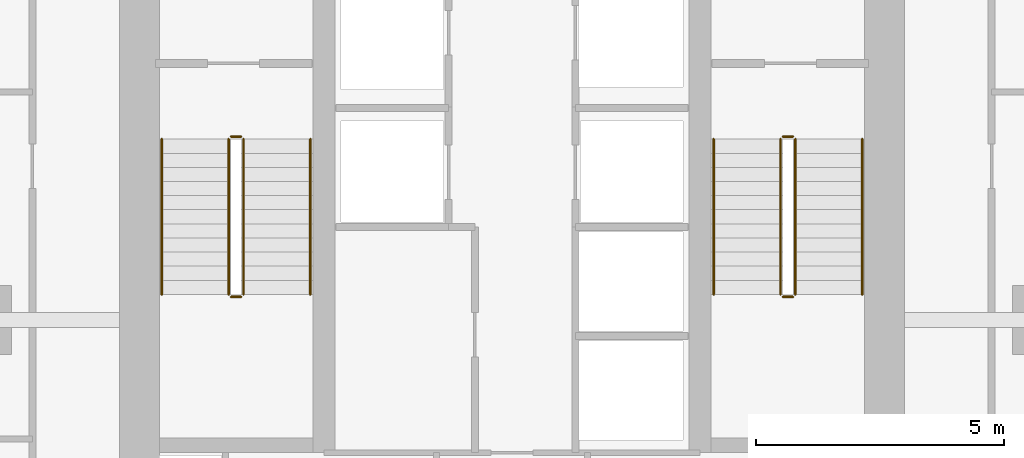
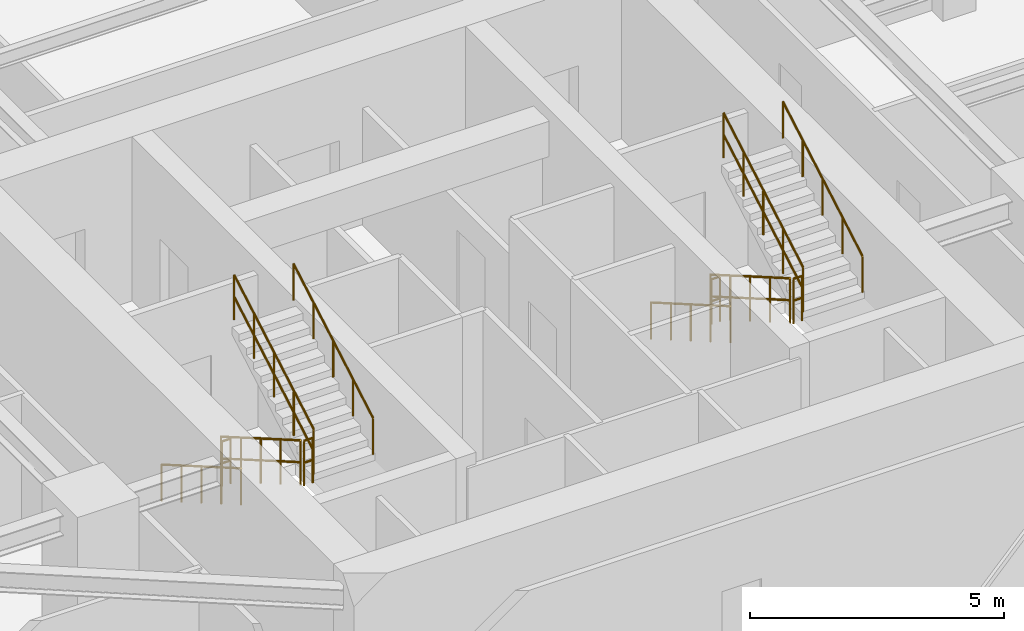
# One storey, part 20 of 21: 12 railings.
"""IFC4 building model written with IfcOpenShell, lengths in metres."""

from ifc_helpers import new_model, si_unit, direction, frame, origin, origin_2d, place, context, subcontext, project, spatial, circle, extrude, material, layer, layer_set, type_object, element, save


model = new_model("IFC4")

# Units and contexts
model_context = context("Model", 3, precision=1e-05, world=origin(), true_north=direction((0.0, 1.0)))
body_context = subcontext(model_context, "Body", "Model", "MODEL_VIEW")
ifc_project = project(units=[si_unit("LENGTHUNIT", "METRE"), si_unit("AREAUNIT", "SQUARE_METRE"), si_unit("VOLUMEUNIT", "CUBIC_METRE"), si_unit("PLANEANGLEUNIT", "RADIAN"), si_unit("MASSUNIT", "GRAM", prefix="KILO")], contexts=[model_context])

# Site, building, storey
site_placement = place(None, origin())
site = spatial("IfcSite", under=ifc_project, at=site_placement, CompositionType="ELEMENT")
building_placement = place(site_placement, origin())
building = spatial("IfcBuilding", under=site, at=building_placement, Name="Krantzveldt Concourse Tower", CompositionType="ELEMENT")
storey_placement = place(building_placement, frame((0.0, 0.0, 267.39990234375)))
storey = spatial("IfcBuildingStorey", under=building, at=storey_placement, Name="L65", CompositionType="ELEMENT", Elevation=267.39990234375)

# Railings
ifc_material = material(Name="Stainless steel 316L", Category="steel")
ifc_layer_1 = layer(ifc_material, 0.06005859375, Name="Stainless steel 316L", Category="steel")
ifc_layer_set_1 = layer_set([ifc_layer_1], Name="Stainless steel 316L (RL-GUARD-1120)")
railing_type_1 = type_object("IfcRailingType", Name="RL-GUARD-1120", PredefinedType="GUARDRAIL", material=ifc_layer_set_1)
railing_1_placement = place(storey_placement, frame((30.280029296875, 19.550048828125, 0.164794921875)))
element("IfcRailing", 1, at=railing_1_placement, inside=storey, type_object=railing_type_1, Name="L65 ST-1 stair guard 1", PredefinedType="GUARDRAIL", context=body_context, shape_type="SweptSolid", body=[
    extrude(circle(Radius=0.02392578125, at=origin_2d()), frame((0.0, 0.0, 1.076171875), z_axis=(0.0, -0.865989039225, 0.500062979975), x_axis=(1.0, 0.0, 0.0)), (0.0, 0.0, 1.0), 3.6201171875),
    extrude(circle(Radius=0.02392578125, at=origin_2d()), frame((0.0, 0.0, 0.550048828125), z_axis=(0.0, -0.865989039225, 0.500062979975), x_axis=(1.0, 0.0, 0.0)), (0.0, 0.0, 1.0), 3.6201171875),
    extrude(circle(Radius=0.02099609375, at=origin_2d()), origin(), (0.0, 0.0, 1.0), 1.052001953125),
    extrude(circle(Radius=0.02099609375, at=origin_2d()), frame((0.0, -0.78369140625, 0.45263671875)), (0.0, 0.0, 1.0), 1.052001953125),
    extrude(circle(Radius=0.02099609375, at=origin_2d()), frame((0.0, -1.5673828125, 0.9052734375)), (0.0, 0.0, 1.0), 1.052001953125),
    extrude(circle(Radius=0.02099609375, at=origin_2d()), frame((0.0, -2.351318359375, 1.357666015625)), (0.0, 0.0, 1.0), 1.052001953125),
    extrude(circle(Radius=0.02099609375, at=origin_2d()), frame((0.0, -3.135009765625, 1.810302734375)), (0.0, 0.0, 1.0), 1.052001953125),
])
railing_2_placement = place(storey_placement, frame((30.330078125, 16.364990234375, 1.97509765625)))
element("IfcRailing", 2, at=railing_2_placement, inside=storey, type_object=railing_type_1, Name="L65 ST-1 stair guard 2", PredefinedType="GUARDRAIL", context=body_context, shape_type="SweptSolid", body=[
    extrude(circle(Radius=0.02392578125, at=origin_2d()), frame((0.0, 0.0, 1.076171875), z_axis=(1.0, 0.0, 0.0), x_axis=(0.0, 1.0, 0.0)), (0.0, 0.0, 1.0), 0.199951171875),
    extrude(circle(Radius=0.02392578125, at=origin_2d()), frame((0.0, 0.0, 0.550048828125), z_axis=(1.0, 0.0, 0.0), x_axis=(0.0, 1.0, 0.0)), (0.0, 0.0, 1.0), 0.199951171875),
    extrude(circle(Radius=0.02099609375, at=origin_2d()), origin(), (0.0, 0.0, 1.0), 1.052001953125),
    extrude(circle(Radius=0.02099609375, at=origin_2d()), frame((0.199951171875, 0.0, 0.0)), (0.0, 0.0, 1.0), 1.052001953125),
])
railing_3_placement = place(storey_placement, frame((30.580078125, 16.4150390625, 2.1396484375)))
element("IfcRailing", 3, at=railing_3_placement, inside=storey, type_object=railing_type_1, Name="L65 ST-1 stair guard 3", PredefinedType="GUARDRAIL", context=body_context, shape_type="SweptSolid", body=[
    extrude(circle(Radius=0.02392578125, at=origin_2d()), frame((0.0, 0.0, 1.076171875), z_axis=(0.0, 0.865959834175, 0.500113552702), x_axis=(-1.0, 0.0, 0.0)), (0.0, 0.0, 1.0), 3.620361328125),
    extrude(circle(Radius=0.02392578125, at=origin_2d()), frame((0.0, 0.0, 0.550048828125), z_axis=(0.0, 0.865959834175, 0.500113552702), x_axis=(-1.0, 0.0, 0.0)), (0.0, 0.0, 1.0), 3.620361328125),
    extrude(circle(Radius=0.02099609375, at=origin_2d()), origin(), (0.0, 0.0, 1.0), 1.052001953125),
    extrude(circle(Radius=0.02099609375, at=origin_2d()), frame((0.0, 0.78369140625, 0.45263671875)), (0.0, 0.0, 1.0), 1.052001953125),
    extrude(circle(Radius=0.02099609375, at=origin_2d()), frame((0.0, 1.5673828125, 0.9052734375)), (0.0, 0.0, 1.0), 1.052001953125),
    extrude(circle(Radius=0.02099609375, at=origin_2d()), frame((0.0, 2.351318359375, 1.35791015625)), (0.0, 0.0, 1.0), 1.052001953125),
    extrude(circle(Radius=0.02099609375, at=origin_2d()), frame((0.0, 3.135009765625, 1.810546875)), (0.0, 0.0, 1.0), 1.052001953125),
])
railing_4_placement = place(storey_placement, frame((30.330078125, 19.60009765625, 0.0)))
element("IfcRailing", 4, at=railing_4_placement, inside=storey, type_object=railing_type_1, Name="L65 ST-1 stair guard 4", PredefinedType="GUARDRAIL", context=body_context, shape_type="SweptSolid", body=[
    extrude(circle(Radius=0.02392578125, at=origin_2d()), frame((0.0, 0.0, 1.076171875), z_axis=(1.0, 0.0, 0.0), x_axis=(0.0, 1.0, 0.0)), (0.0, 0.0, 1.0), 0.199951171875),
    extrude(circle(Radius=0.02392578125, at=origin_2d()), frame((0.0, 0.0, 0.550048828125), z_axis=(1.0, 0.0, 0.0), x_axis=(0.0, 1.0, 0.0)), (0.0, 0.0, 1.0), 0.199951171875),
    extrude(circle(Radius=0.02099609375, at=origin_2d()), origin(), (0.0, 0.0, 1.0), 1.052001953125),
    extrude(circle(Radius=0.02099609375, at=origin_2d()), frame((0.199951171875, 0.0, 0.0)), (0.0, 0.0, 1.0), 1.052001953125),
])
railing_5_placement = place(storey_placement, frame((41.419921875, 19.550048828125, 0.164794921875)))
element("IfcRailing", 5, at=railing_5_placement, inside=storey, type_object=railing_type_1, Name="L65 ST-2 stair guard 1", PredefinedType="GUARDRAIL", context=body_context, shape_type="SweptSolid", body=[
    extrude(circle(Radius=0.02392578125, at=origin_2d()), frame((0.0, 0.0, 1.076171875), z_axis=(0.0, -0.865989039225, 0.500062979975), x_axis=(1.0, 0.0, 0.0)), (0.0, 0.0, 1.0), 3.6201171875),
    extrude(circle(Radius=0.02392578125, at=origin_2d()), frame((0.0, 0.0, 0.550048828125), z_axis=(0.0, -0.865989039225, 0.500062979975), x_axis=(1.0, 0.0, 0.0)), (0.0, 0.0, 1.0), 3.6201171875),
    extrude(circle(Radius=0.02099609375, at=origin_2d()), origin(), (0.0, 0.0, 1.0), 1.052001953125),
    extrude(circle(Radius=0.02099609375, at=origin_2d()), frame((0.0, -0.78369140625, 0.45263671875)), (0.0, 0.0, 1.0), 1.052001953125),
    extrude(circle(Radius=0.02099609375, at=origin_2d()), frame((0.0, -1.5673828125, 0.9052734375)), (0.0, 0.0, 1.0), 1.052001953125),
    extrude(circle(Radius=0.02099609375, at=origin_2d()), frame((0.0, -2.351318359375, 1.357666015625)), (0.0, 0.0, 1.0), 1.052001953125),
    extrude(circle(Radius=0.02099609375, at=origin_2d()), frame((0.0, -3.135009765625, 1.810302734375)), (0.0, 0.0, 1.0), 1.052001953125),
])
railing_6_placement = place(storey_placement, frame((41.469970703125, 16.364990234375, 1.97509765625)))
element("IfcRailing", 6, at=railing_6_placement, inside=storey, type_object=railing_type_1, Name="L65 ST-2 stair guard 2", PredefinedType="GUARDRAIL", context=body_context, shape_type="SweptSolid", body=[
    extrude(circle(Radius=0.02392578125, at=origin_2d()), frame((0.0, 0.0, 1.076171875), z_axis=(1.0, 0.0, 0.0), x_axis=(0.0, 1.0, 0.0)), (0.0, 0.0, 1.0), 0.199951171875),
    extrude(circle(Radius=0.02392578125, at=origin_2d()), frame((0.0, 0.0, 0.550048828125), z_axis=(1.0, 0.0, 0.0), x_axis=(0.0, 1.0, 0.0)), (0.0, 0.0, 1.0), 0.199951171875),
    extrude(circle(Radius=0.02099609375, at=origin_2d()), origin(), (0.0, 0.0, 1.0), 1.052001953125),
    extrude(circle(Radius=0.02099609375, at=origin_2d()), frame((0.199951171875, 0.0, 0.0)), (0.0, 0.0, 1.0), 1.052001953125),
])
railing_7_placement = place(storey_placement, frame((41.719970703125, 16.4150390625, 2.1396484375)))
element("IfcRailing", 7, at=railing_7_placement, inside=storey, type_object=railing_type_1, Name="L65 ST-2 stair guard 3", PredefinedType="GUARDRAIL", context=body_context, shape_type="SweptSolid", body=[
    extrude(circle(Radius=0.02392578125, at=origin_2d()), frame((0.0, 0.0, 1.076171875), z_axis=(0.0, 0.865959834175, 0.500113552702), x_axis=(-1.0, 0.0, 0.0)), (0.0, 0.0, 1.0), 3.620361328125),
    extrude(circle(Radius=0.02392578125, at=origin_2d()), frame((0.0, 0.0, 0.550048828125), z_axis=(0.0, 0.865959834175, 0.500113552702), x_axis=(-1.0, 0.0, 0.0)), (0.0, 0.0, 1.0), 3.620361328125),
    extrude(circle(Radius=0.02099609375, at=origin_2d()), origin(), (0.0, 0.0, 1.0), 1.052001953125),
    extrude(circle(Radius=0.02099609375, at=origin_2d()), frame((0.0, 0.78369140625, 0.45263671875)), (0.0, 0.0, 1.0), 1.052001953125),
    extrude(circle(Radius=0.02099609375, at=origin_2d()), frame((0.0, 1.5673828125, 0.9052734375)), (0.0, 0.0, 1.0), 1.052001953125),
    extrude(circle(Radius=0.02099609375, at=origin_2d()), frame((0.0, 2.351318359375, 1.35791015625)), (0.0, 0.0, 1.0), 1.052001953125),
    extrude(circle(Radius=0.02099609375, at=origin_2d()), frame((0.0, 3.135009765625, 1.810546875)), (0.0, 0.0, 1.0), 1.052001953125),
])
railing_8_placement = place(storey_placement, frame((41.469970703125, 19.60009765625, 0.0)))
element("IfcRailing", 8, at=railing_8_placement, inside=storey, type_object=railing_type_1, Name="L65 ST-2 stair guard 4", PredefinedType="GUARDRAIL", context=body_context, shape_type="SweptSolid", body=[
    extrude(circle(Radius=0.02392578125, at=origin_2d()), frame((0.0, 0.0, 1.076171875), z_axis=(1.0, 0.0, 0.0), x_axis=(0.0, 1.0, 0.0)), (0.0, 0.0, 1.0), 0.199951171875),
    extrude(circle(Radius=0.02392578125, at=origin_2d()), frame((0.0, 0.0, 0.550048828125), z_axis=(1.0, 0.0, 0.0), x_axis=(0.0, 1.0, 0.0)), (0.0, 0.0, 1.0), 0.199951171875),
    extrude(circle(Radius=0.02099609375, at=origin_2d()), origin(), (0.0, 0.0, 1.0), 1.052001953125),
    extrude(circle(Radius=0.02099609375, at=origin_2d()), frame((0.199951171875, 0.0, 0.0)), (0.0, 0.0, 1.0), 1.052001953125),
])
ifc_layer_2 = layer(ifc_material, 0.050048828125, Name="Stainless steel 316L", Category="steel")
ifc_layer_set_2 = layer_set([ifc_layer_2], Name="Stainless steel 316L (RL-HANDRAIL-920)")
railing_type_2 = type_object("IfcRailingType", Name="RL-HANDRAIL-920", PredefinedType="HANDRAIL", material=ifc_layer_set_2)
railing_9_placement = place(storey_placement, frame((28.929931640625, 19.550048828125, 0.164794921875)))
element("IfcRailing", 9, at=railing_9_placement, inside=storey, type_object=railing_type_2, Name="L65 ST-1 stair handrail 1", PredefinedType="HANDRAIL", context=body_context, shape_type="SweptSolid", body=[
    extrude(circle(Radius=0.02392578125, at=origin_2d()), frame((0.0, 0.0, 0.8759765625), z_axis=(0.0, -0.865989039225, 0.500062979975), x_axis=(1.0, 0.0, 0.0)), (0.0, 0.0, 1.0), 3.6201171875),
    extrude(circle(Radius=0.02099609375, at=origin_2d()), origin(), (0.0, 0.0, 1.0), 0.851806640625),
    extrude(circle(Radius=0.02099609375, at=origin_2d()), frame((0.0, -0.78369140625, 0.45263671875)), (0.0, 0.0, 1.0), 0.851806640625),
    extrude(circle(Radius=0.02099609375, at=origin_2d()), frame((0.0, -1.5673828125, 0.9052734375)), (0.0, 0.0, 1.0), 0.851806640625),
    extrude(circle(Radius=0.02099609375, at=origin_2d()), frame((0.0, -2.351318359375, 1.357666015625)), (0.0, 0.0, 1.0), 0.851806640625),
    extrude(circle(Radius=0.02099609375, at=origin_2d()), frame((0.0, -3.135009765625, 1.810302734375)), (0.0, 0.0, 1.0), 0.851806640625),
])
railing_10_placement = place(storey_placement, frame((31.929931640625, 16.4150390625, 2.1396484375)))
element("IfcRailing", 10, at=railing_10_placement, inside=storey, type_object=railing_type_2, Name="L65 ST-1 stair handrail 2", PredefinedType="HANDRAIL", context=body_context, shape_type="SweptSolid", body=[
    extrude(circle(Radius=0.02392578125, at=origin_2d()), frame((0.0, 0.0, 0.8759765625), z_axis=(0.0, 0.865959834175, 0.500113552702), x_axis=(-1.0, 0.0, 0.0)), (0.0, 0.0, 1.0), 3.620361328125),
    extrude(circle(Radius=0.02099609375, at=origin_2d()), origin(), (0.0, 0.0, 1.0), 0.851806640625),
    extrude(circle(Radius=0.02099609375, at=origin_2d()), frame((0.0, 0.78369140625, 0.45263671875)), (0.0, 0.0, 1.0), 0.851806640625),
    extrude(circle(Radius=0.02099609375, at=origin_2d()), frame((0.0, 1.5673828125, 0.9052734375)), (0.0, 0.0, 1.0), 0.851806640625),
    extrude(circle(Radius=0.02099609375, at=origin_2d()), frame((0.0, 2.351318359375, 1.35791015625)), (0.0, 0.0, 1.0), 0.851806640625),
    extrude(circle(Radius=0.02099609375, at=origin_2d()), frame((0.0, 3.135009765625, 1.810546875)), (0.0, 0.0, 1.0), 0.851806640625),
])
railing_11_placement = place(storey_placement, frame((40.070068359375, 19.550048828125, 0.164794921875)))
element("IfcRailing", 11, at=railing_11_placement, inside=storey, type_object=railing_type_2, Name="L65 ST-2 stair handrail 1", PredefinedType="HANDRAIL", context=body_context, shape_type="SweptSolid", body=[
    extrude(circle(Radius=0.02392578125, at=origin_2d()), frame((0.0, 0.0, 0.8759765625), z_axis=(0.0, -0.865989039225, 0.500062979975), x_axis=(1.0, 0.0, 0.0)), (0.0, 0.0, 1.0), 3.6201171875),
    extrude(circle(Radius=0.02099609375, at=origin_2d()), origin(), (0.0, 0.0, 1.0), 0.851806640625),
    extrude(circle(Radius=0.02099609375, at=origin_2d()), frame((0.0, -0.78369140625, 0.45263671875)), (0.0, 0.0, 1.0), 0.851806640625),
    extrude(circle(Radius=0.02099609375, at=origin_2d()), frame((0.0, -1.5673828125, 0.9052734375)), (0.0, 0.0, 1.0), 0.851806640625),
    extrude(circle(Radius=0.02099609375, at=origin_2d()), frame((0.0, -2.351318359375, 1.357666015625)), (0.0, 0.0, 1.0), 0.851806640625),
    extrude(circle(Radius=0.02099609375, at=origin_2d()), frame((0.0, -3.135009765625, 1.810302734375)), (0.0, 0.0, 1.0), 0.851806640625),
])
railing_12_placement = place(storey_placement, frame((43.070068359375, 16.4150390625, 2.1396484375)))
element("IfcRailing", 12, at=railing_12_placement, inside=storey, type_object=railing_type_2, Name="L65 ST-2 stair handrail 2", PredefinedType="HANDRAIL", context=body_context, shape_type="SweptSolid", body=[
    extrude(circle(Radius=0.02392578125, at=origin_2d()), frame((0.0, 0.0, 0.8759765625), z_axis=(0.0, 0.865959834175, 0.500113552702), x_axis=(-1.0, 0.0, 0.0)), (0.0, 0.0, 1.0), 3.620361328125),
    extrude(circle(Radius=0.02099609375, at=origin_2d()), origin(), (0.0, 0.0, 1.0), 0.851806640625),
    extrude(circle(Radius=0.02099609375, at=origin_2d()), frame((0.0, 0.78369140625, 0.45263671875)), (0.0, 0.0, 1.0), 0.851806640625),
    extrude(circle(Radius=0.02099609375, at=origin_2d()), frame((0.0, 1.5673828125, 0.9052734375)), (0.0, 0.0, 1.0), 0.851806640625),
    extrude(circle(Radius=0.02099609375, at=origin_2d()), frame((0.0, 2.351318359375, 1.35791015625)), (0.0, 0.0, 1.0), 0.851806640625),
    extrude(circle(Radius=0.02099609375, at=origin_2d()), frame((0.0, 3.135009765625, 1.810546875)), (0.0, 0.0, 1.0), 0.851806640625),
])

save(model, "model.ifc")
